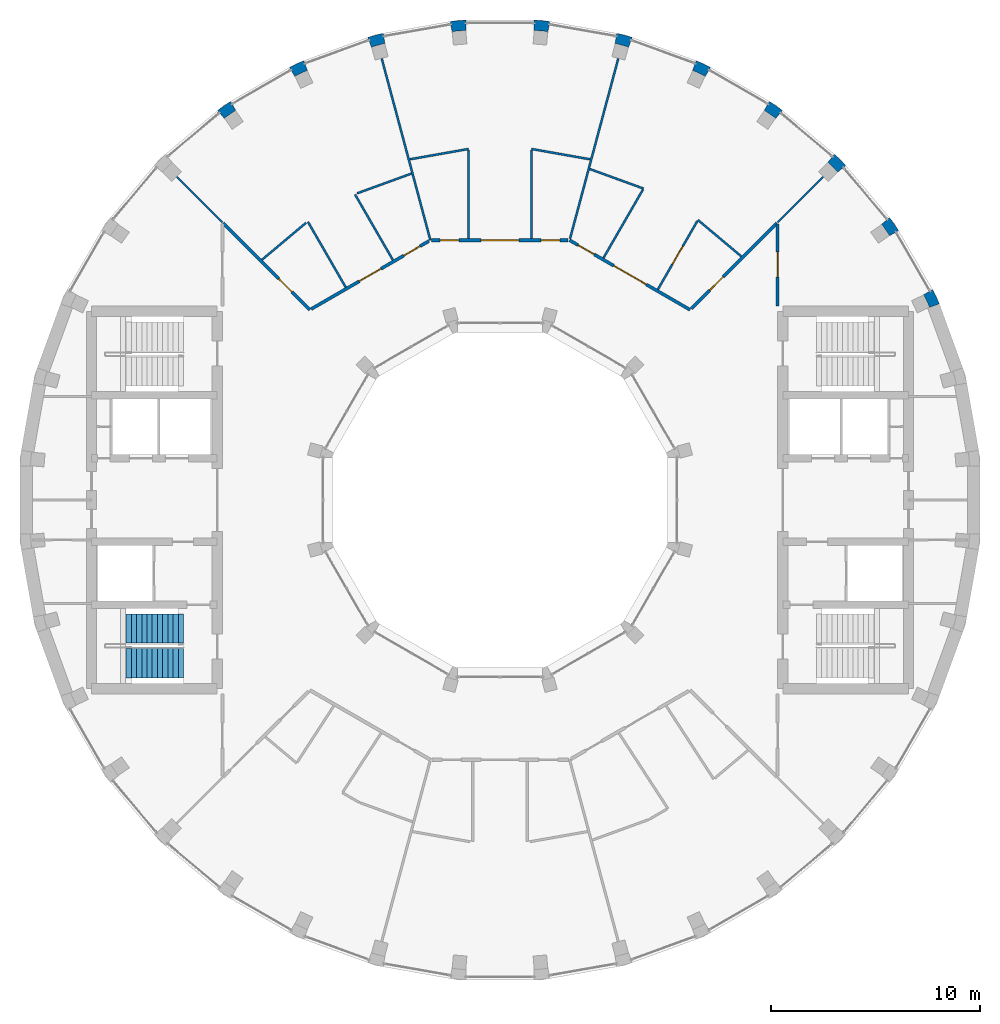
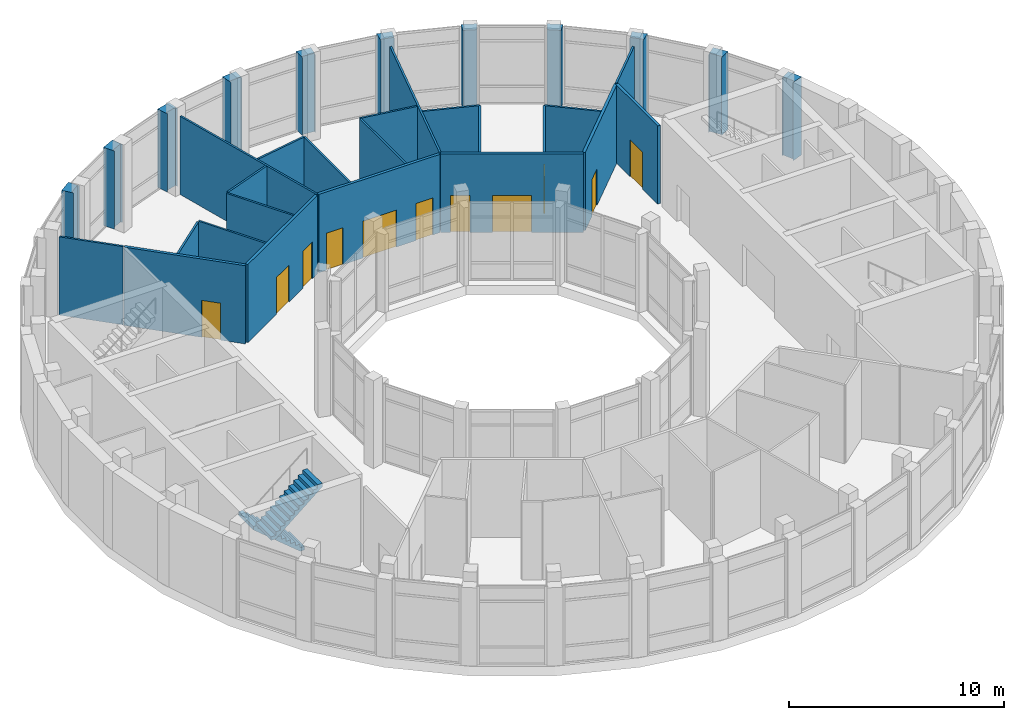
# One storey, part 14 of 16: 33 walls, 11 doors, 2 stair flights, 11 openings, 1 element without a shape of its own.
"""IFC4 building model written with IfcOpenShell, lengths in metres."""

from ifc_helpers import new_model, si_unit, direction, frame, frame_2d, origin, place, context, subcontext, project, spatial, polyline, rectangle, outline, extrude, material, layer, layer_set, type_object, element, fill, aggregate, save


model = new_model("IFC4")

# Units and contexts
model_context = context("Model", 3, precision=1e-05, world=origin(), true_north=direction((0.0, 1.0)))
body_context = subcontext(model_context, "Body", "Model", "MODEL_VIEW")
ifc_project = project(units=[si_unit("LENGTHUNIT", "METRE"), si_unit("AREAUNIT", "SQUARE_METRE"), si_unit("VOLUMEUNIT", "CUBIC_METRE"), si_unit("PLANEANGLEUNIT", "RADIAN"), si_unit("MASSUNIT", "GRAM", prefix="KILO")], contexts=[model_context])

# Site, building, storey
site_placement = place(None, origin())
site = spatial("IfcSite", under=ifc_project, at=site_placement, CompositionType="ELEMENT")
building_placement = place(site_placement, origin())
building = spatial("IfcBuilding", under=site, at=building_placement, Name="Saqina Gate Tower", CompositionType="ELEMENT")
storey_placement = place(building_placement, frame((0.0, 0.0, 279.199951171875)))
storey = spatial("IfcBuildingStorey", under=building, at=storey_placement, Name="L80", CompositionType="ELEMENT", Elevation=279.199951171875)

# Walls
ifc_material_1 = material(Name="Brick masonry (buff)", Category="masonry")
wall_type_1 = type_object("IfcWallType", Name="BRICK PIER COPING BUFF", PredefinedType="SOLIDWALL", material=ifc_material_1)
wall_1_placement = place(storey_placement, origin())
element("IfcWall", 1, at=wall_1_placement, inside=storey, type_object=wall_type_1, Name="Pier cap L80 column 3", PredefinedType="SOLIDWALL", context=body_context, shape_type="SweptSolid", body=[
    extrude(outline(polyline([(20.974609375, 9.3642578125), (20.65576171875, 10.048095703125), (20.135986328125, 9.748291015625), (20.23193359375, 9.79296875), (20.506591796875, 9.203857421875), (20.410888671875, 9.1591796875), (20.974609375, 9.3642578125)])), origin(), (0.0, 0.0, 1.0), 4.449951171875),
])
wall_2_placement = place(storey_placement, origin())
element("IfcWall", 2, at=wall_2_placement, inside=storey, type_object=wall_type_1, Name="Pier cap L80 column 4", PredefinedType="SOLIDWALL", context=body_context, shape_type="SweptSolid", body=[
    extrude(outline(polyline([(19.02978515625, 12.8642578125), (18.59716796875, 13.482421875), (18.137451171875, 13.0966796875), (18.22412109375, 13.157470703125), (18.596923828125, 12.625), (18.51025390625, 12.564208984375), (19.02978515625, 12.8642578125)])), origin(), (0.0, 0.0, 1.0), 4.449951171875),
])
wall_3_placement = place(storey_placement, origin())
element("IfcWall", 3, at=wall_3_placement, inside=storey, type_object=wall_type_1, Name="Pier cap L80 column 5", PredefinedType="SOLIDWALL", context=body_context, shape_type="SweptSolid", body=[
    extrude(outline(polyline([(15.973388671875, 16.5068359375), (15.587646484375, 16.04736328125), (15.662353515625, 16.1220703125), (16.1220703125, 15.662353515625), (16.04736328125, 15.587646484375), (16.5068359375, 15.973388671875), (15.973388671875, 16.5068359375)])), origin(), (0.0, 0.0, 1.0), 4.449951171875),
])
wall_4_placement = place(storey_placement, origin())
element("IfcWall", 4, at=wall_4_placement, inside=storey, type_object=wall_type_1, Name="Pier cap L80 column 6", PredefinedType="SOLIDWALL", context=body_context, shape_type="SweptSolid", body=[
    extrude(outline(polyline([(12.8642578125, 19.02978515625), (12.564208984375, 18.51025390625), (12.625, 18.596923828125), (13.157470703125, 18.22412109375), (13.0966796875, 18.137451171875), (13.482421875, 18.59716796875), (12.8642578125, 19.02978515625)])), origin(), (0.0, 0.0, 1.0), 4.449951171875),
])
wall_5_placement = place(storey_placement, origin())
element("IfcWall", 5, at=wall_5_placement, inside=storey, type_object=wall_type_1, Name="Pier cap L80 column 7", PredefinedType="SOLIDWALL", context=body_context, shape_type="SweptSolid", body=[
    extrude(outline(polyline([(10.048095703125, 20.65576171875), (9.3642578125, 20.974609375), (9.1591796875, 20.410888671875), (9.203857421875, 20.506591796875), (9.79296875, 20.23193359375), (9.748291015625, 20.135986328125), (10.048095703125, 20.65576171875)])), origin(), (0.0, 0.0, 1.0), 4.449951171875),
])
wall_6_placement = place(storey_placement, origin())
element("IfcWall", 6, at=wall_6_placement, inside=storey, type_object=wall_type_1, Name="Pier cap L80 column 8", PredefinedType="SOLIDWALL", context=body_context, shape_type="SweptSolid", body=[
    extrude(outline(polyline([(5.579833984375, 22.281982421875), (5.4755859375, 21.691162109375), (5.5029296875, 21.793212890625), (6.130859375, 21.625), (6.103515625, 21.52294921875), (6.30859375, 22.0869140625), (5.579833984375, 22.281982421875)])), origin(), (0.0, 0.0, 1.0), 4.449951171875),
])
wall_7_placement = place(storey_placement, origin())
element("IfcWall", 7, at=wall_7_placement, inside=storey, type_object=wall_type_1, Name="Pier cap L80 column 9", PredefinedType="SOLIDWALL", context=body_context, shape_type="SweptSolid", body=[
    extrude(outline(polyline([(2.377685546875, 22.8466796875), (1.625732421875, 22.91259765625), (1.625732421875, 22.3125), (1.635009765625, 22.417724609375), (2.28271484375, 22.361083984375), (2.2734375, 22.255859375), (2.377685546875, 22.8466796875)])), origin(), (0.0, 0.0, 1.0), 4.449951171875),
])
wall_8_placement = place(storey_placement, origin())
element("IfcWall", 8, at=wall_8_placement, inside=storey, type_object=wall_type_1, Name="Pier cap L80 column 10", PredefinedType="SOLIDWALL", context=body_context, shape_type="SweptSolid", body=[
    extrude(outline(polyline([(-1.625732421875, 22.91259765625), (-2.377685546875, 22.8466796875), (-2.2734375, 22.255859375), (-2.28271484375, 22.361083984375), (-1.635009765625, 22.417724609375), (-1.625732421875, 22.3125), (-1.625732421875, 22.91259765625)])), origin(), (0.0, 0.0, 1.0), 4.449951171875),
])
wall_9_placement = place(storey_placement, origin())
element("IfcWall", 9, at=wall_9_placement, inside=storey, type_object=wall_type_1, Name="Pier cap L80 column 11", PredefinedType="SOLIDWALL", context=body_context, shape_type="SweptSolid", body=[
    extrude(outline(polyline([(-6.30859375, 22.0869140625), (-6.103515625, 21.52294921875), (-6.130859375, 21.625), (-5.5029296875, 21.793212890625), (-5.4755859375, 21.691162109375), (-5.579833984375, 22.281982421875), (-6.30859375, 22.0869140625)])), origin(), (0.0, 0.0, 1.0), 4.449951171875),
])
wall_10_placement = place(storey_placement, origin())
element("IfcWall", 10, at=wall_10_placement, inside=storey, type_object=wall_type_1, Name="Pier cap L80 column 12", PredefinedType="SOLIDWALL", context=body_context, shape_type="SweptSolid", body=[
    extrude(outline(polyline([(-9.3642578125, 20.974609375), (-10.048095703125, 20.65576171875), (-9.748291015625, 20.135986328125), (-9.79296875, 20.23193359375), (-9.203857421875, 20.506591796875), (-9.1591796875, 20.410888671875), (-9.3642578125, 20.974609375)])), origin(), (0.0, 0.0, 1.0), 4.449951171875),
])
wall_11_placement = place(storey_placement, origin())
element("IfcWall", 11, at=wall_11_placement, inside=storey, type_object=wall_type_1, Name="Pier cap L80 column 13", PredefinedType="SOLIDWALL", context=body_context, shape_type="SweptSolid", body=[
    extrude(outline(polyline([(-12.8642578125, 19.02978515625), (-13.482421875, 18.59716796875), (-13.0966796875, 18.137451171875), (-13.157470703125, 18.22412109375), (-12.625, 18.596923828125), (-12.564208984375, 18.51025390625), (-12.8642578125, 19.02978515625)])), origin(), (0.0, 0.0, 1.0), 4.449951171875),
])
ifc_material_2 = material(Name="Gypsum board on steel studs, 100 mm", Category="steel")
ifc_layer_1 = layer(ifc_material_2, 0.10009765625)
ifc_layer_set_1 = layer_set([ifc_layer_1], Name="SPECIAL PARTITION 100")
wall_type_2 = type_object("IfcWallType", Name="SPECIAL PARTITION 100", PredefinedType="PARTITIONING", material=ifc_layer_set_1)
wall_12_placement = place(storey_placement, frame((-5.645751953125, 21.07177734375, 0.0), z_axis=(0.0, 0.0, 1.0), x_axis=(0.258728835498, -0.965949993365, 0.0)))
element("IfcWall", 12, at=wall_12_placement, inside=storey, type_object=wall_type_2, Name="PARTITION 001", PredefinedType="PARTITIONING", context=body_context, shape_type="SweptSolid", body=[
    extrude(rectangle(XDim=8.9775390625, YDim=0.10009765625, at=frame_2d((4.48876953125, 0.0))), origin(), (0.0, 0.0, 1.0), 4.449951171875),
])
wall_13_placement = place(storey_placement, frame((-9.169921875, 13.281982421875, 0.0), z_axis=(0.0, 0.0, 1.0), x_axis=(0.49998372882, -0.866034797751, 0.0)))
element("IfcWall", 13, at=wall_13_placement, inside=storey, type_object=wall_type_2, Name="PARTITION 003", PredefinedType="PARTITIONING", context=body_context, shape_type="SweptSolid", body=[
    extrude(rectangle(XDim=3.61279296875, YDim=0.10009765625, at=frame_2d((1.806396484375, 0.0))), origin(), (0.0, 0.0, 1.0), 4.449951171875),
])
wall_14_placement = place(storey_placement, frame((-6.91796875, 14.58203125, 0.0), z_axis=(0.0, 0.0, 1.0), x_axis=(0.500071521611, -0.865984106825, 0.0)))
element("IfcWall", 14, at=wall_14_placement, inside=storey, type_object=wall_type_2, Name="PARTITION 004", PredefinedType="PARTITIONING", context=body_context, shape_type="SweptSolid", body=[
    extrude(rectangle(XDim=3.6123046875, YDim=0.10009765625, at=frame_2d((1.80615234375, 0.0))), origin(), (0.0, 0.0, 1.0), 4.449951171875),
])
wall_15_placement = place(storey_placement, frame((-15.425537109375, 15.425537109375, 0.0), z_axis=(0.0, 0.0, 1.0), x_axis=(0.707106781187, -0.707106781187, 0.0)))
element("IfcWall", 15, at=wall_15_placement, inside=storey, type_object=wall_type_2, Name="PARTITION 007", PredefinedType="PARTITIONING", context=body_context, shape_type="SweptSolid", body=[
    extrude(rectangle(XDim=3.07666015625, YDim=0.10009765625, at=frame_2d((1.538330078125, 0.0))), origin(), (0.0, 0.0, 1.0), 4.449951171875),
])
wall_16_placement = place(storey_placement, frame((9.448974609375, 13.365966796875, 0.0), z_axis=(0.0, 0.0, 1.0), x_axis=(0.766094066965, -0.642728465653, 0.0)))
element("IfcWall", 16, at=wall_16_placement, inside=storey, type_object=wall_type_2, Name="PARTITION 012", PredefinedType="PARTITIONING", context=body_context, shape_type="SweptSolid", body=[
    extrude(rectangle(XDim=2.705322265625, YDim=0.10009765625, at=frame_2d((1.3525390625, 0.0))), origin(), (0.0, 0.0, 1.0), 4.449951171875),
])
wall_17_placement = place(storey_placement, frame((4.284912109375, 15.7998046875, 0.0), z_axis=(0.0, 0.0, 1.0), x_axis=(0.939712477851, -0.34196558156, 0.0)))
element("IfcWall", 17, at=wall_17_placement, inside=storey, type_object=wall_type_2, Name="PARTITION 017", PredefinedType="PARTITIONING", context=body_context, shape_type="SweptSolid", body=[
    extrude(rectangle(XDim=2.730712890625, YDim=0.10009765625, at=frame_2d((1.365234375, 0.0))), origin(), (0.0, 0.0, 1.0), 4.449951171875),
])
wall_18_placement = place(storey_placement, frame((1.5, 16.757080078125, 0.0), z_axis=(0.0, 0.0, 1.0), x_axis=(0.984768889955, -0.173868436975, 0.0)))
element("IfcWall", 18, at=wall_18_placement, inside=storey, type_object=wall_type_2, Name="PARTITION 019", PredefinedType="PARTITIONING", context=body_context, shape_type="SweptSolid", body=[
    extrude(rectangle(XDim=2.84912109375, YDim=0.10009765625, at=frame_2d((1.424560546875, 0.0))), origin(), (0.0, 0.0, 1.0), 4.449951171875),
])
wall_19_placement = place(storey_placement, frame((-4.305908203125, 16.26171875, 0.0), z_axis=(0.0, 0.0, 1.0), x_axis=(0.984771480107, 0.173853766043, 0.0)))
element("IfcWall", 19, at=wall_19_placement, inside=storey, type_object=wall_type_2, Name="PARTITION 023", PredefinedType="PARTITIONING", context=body_context, shape_type="SweptSolid", body=[
    extrude(rectangle(XDim=2.849365234375, YDim=0.10009765625, at=frame_2d((1.4248046875, 0.0))), origin(), (0.0, 0.0, 1.0), 4.449951171875),
])
wall_20_placement = place(storey_placement, frame((-6.824951171875, 14.635986328125, 0.0), z_axis=(0.0, 0.0, 1.0), x_axis=(0.939664442714, 0.342097552023, 0.0)))
element("IfcWall", 20, at=wall_20_placement, inside=storey, type_object=wall_type_2, Name="PARTITION 025", PredefinedType="PARTITIONING", context=body_context, shape_type="SweptSolid", body=[
    extrude(rectangle(XDim=2.7646484375, YDim=0.10009765625, at=frame_2d((1.38232421875, 0.0))), origin(), (0.0, 0.0, 1.0), 4.449951171875),
])
wall_21_placement = place(storey_placement, frame((-11.361572265625, 11.46728515625, 0.0), z_axis=(0.0, 0.0, 1.0), x_axis=(0.766083955689, 0.6427405175, 0.0)))
element("IfcWall", 21, at=wall_21_placement, inside=storey, type_object=wall_type_2, Name="PARTITION 030", PredefinedType="PARTITIONING", context=body_context, shape_type="SweptSolid", body=[
    extrude(rectangle(XDim=2.739501953125, YDim=0.10009765625, at=frame_2d((1.36962890625, 0.0))), origin(), (0.0, 0.0, 1.0), 4.449951171875),
])
wall_22_placement = place(storey_placement, frame((13.25, 13.25, 0.0), z_axis=(0.0, 0.0, 1.0), x_axis=(0.707106781187, 0.707106781187, 0.0)))
element("IfcWall", 22, at=wall_22_placement, inside=storey, type_object=wall_type_2, Name="PARTITION 032", PredefinedType="PARTITIONING", context=body_context, shape_type="SweptSolid", body=[
    extrude(rectangle(XDim=3.07666015625, YDim=0.10009765625, at=frame_2d((1.538330078125, 0.0))), origin(), (0.0, 0.0, 1.0), 4.449951171875),
])

# Wall, opening, door
wall_23_placement = place(storey_placement, frame((7.53662109375, 10.05322265625, 0.0), z_axis=(0.0, 0.0, 1.0), x_axis=(0.499957569697, 0.866049899545, 0.0)))
wall_23 = element("IfcWall", 23, at=wall_23_placement, inside=storey, type_object=wall_type_2, Name="PARTITION 037", PredefinedType="PARTITIONING", context=body_context, shape_type="SweptSolid", body=[
    extrude(rectangle(XDim=3.775146484375, YDim=0.10009765625, at=frame_2d((1.8876953125, 0.0))), origin(), (0.0, 0.0, 1.0), 4.449951171875),
])
opening_1_placement = place(wall_23_placement, frame((1.375, 0.0, 0.0)))
opening_1 = element("IfcOpeningElement", 24, at=opening_1_placement, cuts=wall_23, Name="Opening L80-D03", PredefinedType="OPENING", context=body_context, shape_type="SweptSolid", body=[
    extrude(rectangle(XDim=1.0, YDim=2.10009765625, at=frame_2d((0.5, 1.050048828125))), frame((0.0, 0.06201171875, 0.0), z_axis=(0.0, -1.0, 0.0), x_axis=(1.0, 0.0, 0.0)), (0.0, 0.0, 1.0), 0.1240234375),
])
ifc_material_3 = material(Name="Timber door leaf", Category="wood")
door_type_1 = type_object("IfcDoorType", Name="SPECIAL DOOR 1000 TIMBER", OperationType="SINGLE_SWING_LEFT", PredefinedType="DOOR", material=ifc_material_3)
door_1_placement = place(opening_1_placement, origin())
door_1 = element("IfcDoor", 25, at=door_1_placement, inside=storey, type_object=door_type_1, Name="DOOR L80-D03", OperationType="SINGLE_SWING_LEFT", OverallHeight=2.10009765625, OverallWidth=1.0, PredefinedType="DOOR", context=body_context, shape_type="SweptSolid", body=[
    extrude(rectangle(XDim=1.0, YDim=2.10009765625, at=frame_2d((0.5, 1.050048828125))), frame((0.0, 0.02490234375, 0.0), z_axis=(0.0, -1.0, 0.0), x_axis=(1.0, 0.0, 0.0)), (0.0, 0.0, 1.0), 0.050048828125),
])
fill(opening_1, door_1)

# Walls
wall_24_placement = place(storey_placement, frame((4.9384765625, 11.553955078125, 0.0), z_axis=(0.0, 0.0, 1.0), x_axis=(0.50004158446, 0.866001393654, 0.0)))
element("IfcWall", 26, at=wall_24_placement, inside=storey, type_object=wall_type_2, Name="PARTITION 038", PredefinedType="PARTITIONING", context=body_context, shape_type="SweptSolid", body=[
    extrude(rectangle(XDim=3.774658203125, YDim=0.10009765625, at=frame_2d((1.88720703125, 0.0))), origin(), (0.0, 0.0, 1.0), 4.449951171875),
])
wall_25_placement = place(storey_placement, frame((3.34228515625, 12.472412109375, 0.0), z_axis=(0.0, 0.0, 1.0), x_axis=(0.258684909749, 0.965961757767, 0.0)))
element("IfcWall", 27, at=wall_25_placement, inside=storey, type_object=wall_type_2, Name="PARTITION 040", PredefinedType="PARTITIONING", context=body_context, shape_type="SweptSolid", body=[
    extrude(rectangle(XDim=8.902587890625, YDim=0.10009765625, at=frame_2d((4.451171875, 0.0))), origin(), (0.0, 0.0, 1.0), 4.449951171875),
])
for number, where, z_axis, x_axis, name in (
    (28, (1.5, 12.47509765625, 0.0), (0.0, 0.0, 1.0), (0.0, 1.0, 0.0), "PARTITION 043"),
    (29, (-1.5, 12.47509765625, 0.0), (0.0, 0.0, 1.0), (0.0, 1.0, 0.0), "PARTITION 046"),
):
    element("IfcWall", number, at=place(storey_placement, frame(where, z_axis=z_axis, x_axis=x_axis)), inside=storey, type_object=wall_type_2, Name=name, PredefinedType="PARTITIONING", context=body_context, shape_type="SweptSolid", body=[
        extrude(rectangle(XDim=4.23193359375, YDim=0.10009765625, at=frame_2d((2.115966796875, 0.0))), origin(), (0.0, 0.0, 1.0), 4.449951171875),
    ])

# Wall, opening, door
ifc_material_4 = material(Name="Gypsum board on steel studs, 150 mm, fire rated", Category="steel")
ifc_layer_2 = layer(ifc_material_4, 0.14990234375)
ifc_layer_set_2 = layer_set([ifc_layer_2], Name="SPECIAL PARTITION EI 30 150")
wall_type_3 = type_object("IfcWallType", Name="SPECIAL PARTITION EI 30 150", PredefinedType="PARTITIONING", material=ifc_layer_set_2)
wall_26_placement = place(storey_placement, frame((-13.214599609375, 13.214599609375, 0.0), z_axis=(0.0, 0.0, 1.0), x_axis=(0.707106781187, -0.707106781187, 0.0)))
wall_26 = element("IfcWall", 30, at=wall_26_placement, inside=storey, type_object=wall_type_3, Name="PARTITION 009", PredefinedType="PARTITIONING", context=body_context, shape_type="SweptSolid", body=[
    extrude(rectangle(XDim=5.8515625, YDim=0.14990234375, at=frame_2d((2.92578125, 0.0))), origin(), (0.0, 0.0, 1.0), 4.449951171875),
])
opening_2_placement = place(wall_26_placement, frame((3.74560546875, 0.0, 0.0)))
opening_2 = element("IfcOpeningElement", 31, at=opening_2_placement, cuts=wall_26, Name="Opening L80-D11", PredefinedType="OPENING", context=body_context, shape_type="SweptSolid", body=[
    extrude(rectangle(XDim=0.89990234375, YDim=2.10009765625, at=frame_2d((0.449951171875, 1.050048828125))), frame((0.0, 0.0869140625, 0.0), z_axis=(0.0, -1.0, 0.0), x_axis=(1.0, 0.0, 0.0)), (0.0, 0.0, 1.0), 0.173828125),
])
ifc_material_5 = material(Name="Steel-framed fire door leaf, EI 30", Category="steel")
door_type_2 = type_object("IfcDoorType", Name="SPECIAL DOOR 900 FIRE EI 30", OperationType="SINGLE_SWING_LEFT", PredefinedType="DOOR", material=ifc_material_5)
door_2_placement = place(opening_2_placement, origin())
door_2 = element("IfcDoor", 32, at=door_2_placement, inside=storey, type_object=door_type_2, Name="DOOR L80-D11", OperationType="SINGLE_SWING_RIGHT", OverallHeight=2.10009765625, OverallWidth=0.89990234375, PredefinedType="DOOR", context=body_context, shape_type="SweptSolid", body=[
    extrude(rectangle(XDim=0.89990234375, YDim=2.10009765625, at=frame_2d((0.449951171875, 1.050048828125))), frame((0.0, 0.02490234375, 0.0), z_axis=(0.0, -1.0, 0.0), x_axis=(1.0, 0.0, 0.0)), (0.0, 0.0, 1.0), 0.050048828125),
])
fill(opening_2, door_2)

# Wall, openings, doors
wall_27_placement = place(storey_placement, frame((3.322998046875, 12.39990234375, 0.0), z_axis=(0.0, 0.0, 1.0), x_axis=(0.865961614908, -0.500110469302, 0.0)))
wall_27 = element("IfcWall", 33, at=wall_27_placement, inside=storey, type_object=wall_type_3, Name="PARTITION 014", PredefinedType="PARTITIONING", context=body_context, shape_type="SweptSolid", body=[
    extrude(rectangle(XDim=6.64453125, YDim=0.14990234375, at=frame_2d((3.322265625, 0.0))), origin(), (0.0, 0.0, 1.0), 4.449951171875),
])
opening_3_placement = place(wall_27_placement, frame((2.42236328125, 0.0, 0.0)))
opening_3 = element("IfcOpeningElement", 34, at=opening_3_placement, cuts=wall_27, Name="Opening L80-D04", PredefinedType="OPENING", context=body_context, shape_type="SweptSolid", body=[
    extrude(rectangle(XDim=1.800048828125, YDim=2.10009765625, at=frame_2d((0.89990234375, 1.050048828125))), frame((0.0, 0.0869140625, 0.0), z_axis=(0.0, -1.0, 0.0), x_axis=(1.0, 0.0, 0.0)), (0.0, 0.0, 1.0), 0.173828125),
])
opening_4_placement = place(wall_27_placement, frame((0.4609375, 0.0, 0.0)))
opening_4 = element("IfcOpeningElement", 35, at=opening_4_placement, cuts=wall_27, Name="Opening L80-D05", PredefinedType="OPENING", context=body_context, shape_type="SweptSolid", body=[
    extrude(rectangle(XDim=0.89990234375, YDim=2.10009765625, at=frame_2d((0.449951171875, 1.050048828125))), frame((0.0, 0.0869140625, 0.0), z_axis=(0.0, -1.0, 0.0), x_axis=(1.0, 0.0, 0.0)), (0.0, 0.0, 1.0), 0.173828125),
])
door_3_placement = place(opening_4_placement, origin())
door_3 = element("IfcDoor", 36, at=door_3_placement, inside=storey, type_object=door_type_2, Name="DOOR L80-D05", OperationType="SINGLE_SWING_RIGHT", OverallHeight=2.10009765625, OverallWidth=0.89990234375, PredefinedType="DOOR", context=body_context, shape_type="SweptSolid", body=[
    extrude(rectangle(XDim=0.89990234375, YDim=2.10009765625, at=frame_2d((0.449951171875, 1.050048828125))), frame((0.0, 0.02490234375, 0.0), z_axis=(0.0, -1.0, 0.0), x_axis=(1.0, 0.0, 0.0)), (0.0, 0.0, 1.0), 0.050048828125),
])
fill(opening_4, door_3)
ifc_material_6 = material(Name="Steel-framed fire door leaf, EI 30", Category="steel")
door_type_3 = type_object("IfcDoorType", Name="SPECIAL DOUBLE DOOR 1800 FIRE EI 30", OperationType="DOUBLE_DOOR_SINGLE_SWING", PredefinedType="DOOR", material=ifc_material_6)
door_4_placement = place(opening_3_placement, frame((1.800048828125, 0.0, 0.0), z_axis=(0.0, 0.0, 1.0), x_axis=(-1.0, 0.0, 0.0)))
door_4 = element("IfcDoor", 37, at=door_4_placement, inside=storey, type_object=door_type_3, Name="DOOR L80-D04", OperationType="DOUBLE_DOOR_SINGLE_SWING", OverallHeight=2.10009765625, OverallWidth=1.800048828125, PredefinedType="DOOR", context=body_context, shape_type="SweptSolid", body=[
    extrude(rectangle(XDim=1.800048828125, YDim=2.10009765625, at=frame_2d((0.89990234375, 1.050048828125))), frame((0.0, 0.02490234375, 0.0), z_axis=(0.0, -1.0, 0.0), x_axis=(1.0, 0.0, 0.0)), (0.0, 0.0, 1.0), 0.050048828125),
])
fill(opening_3, door_4)

wall_28_placement = place(storey_placement, frame((-3.27294921875, 12.39990234375, 0.0), z_axis=(0.0, 0.0, 1.0), x_axis=(1.0, 0.0, 0.0)))
wall_28 = element("IfcWall", 38, at=wall_28_placement, inside=storey, type_object=wall_type_3, Name="PARTITION 021", PredefinedType="PARTITIONING", context=body_context, shape_type="SweptSolid", body=[
    extrude(rectangle(XDim=6.52099609375, YDim=0.14990234375, at=frame_2d((3.260498046875, 0.0))), origin(), (0.0, 0.0, 1.0), 4.449951171875),
])
opening_5_placement = place(wall_28_placement, frame((5.234619140625, 0.0, 0.0)))
opening_5 = element("IfcOpeningElement", 39, at=opening_5_placement, cuts=wall_28, Name="Opening L80-D06", PredefinedType="OPENING", context=body_context, shape_type="SweptSolid", body=[
    extrude(rectangle(XDim=0.89990234375, YDim=2.10009765625, at=frame_2d((0.449951171875, 1.050048828125))), frame((0.0, 0.0869140625, 0.0), z_axis=(0.0, -1.0, 0.0), x_axis=(1.0, 0.0, 0.0)), (0.0, 0.0, 1.0), 0.173828125),
])
opening_6_placement = place(wall_28_placement, frame((2.373046875, 0.0, 0.0)))
opening_6 = element("IfcOpeningElement", 40, at=opening_6_placement, cuts=wall_28, Name="Opening L80-D07", PredefinedType="OPENING", context=body_context, shape_type="SweptSolid", body=[
    extrude(rectangle(XDim=1.800048828125, YDim=2.10009765625, at=frame_2d((0.89990234375, 1.050048828125))), frame((0.0, 0.0869140625, 0.0), z_axis=(0.0, -1.0, 0.0), x_axis=(1.0, 0.0, 0.0)), (0.0, 0.0, 1.0), 0.173828125),
])
opening_7_placement = place(wall_28_placement, frame((0.41162109375, 0.0, 0.0)))
opening_7 = element("IfcOpeningElement", 41, at=opening_7_placement, cuts=wall_28, Name="Opening L80-D08", PredefinedType="OPENING", context=body_context, shape_type="SweptSolid", body=[
    extrude(rectangle(XDim=0.89990234375, YDim=2.10009765625, at=frame_2d((0.449951171875, 1.050048828125))), frame((0.0, 0.0869140625, 0.0), z_axis=(0.0, -1.0, 0.0), x_axis=(1.0, 0.0, 0.0)), (0.0, 0.0, 1.0), 0.173828125),
])
door_5_placement = place(opening_5_placement, origin())
door_5 = element("IfcDoor", 42, at=door_5_placement, inside=storey, type_object=door_type_2, Name="DOOR L80-D06", OperationType="SINGLE_SWING_LEFT", OverallHeight=2.10009765625, OverallWidth=0.89990234375, PredefinedType="DOOR", context=body_context, shape_type="SweptSolid", body=[
    extrude(rectangle(XDim=0.89990234375, YDim=2.10009765625, at=frame_2d((0.449951171875, 1.050048828125))), frame((0.0, 0.02490234375, 0.0), z_axis=(0.0, -1.0, 0.0), x_axis=(1.0, 0.0, 0.0)), (0.0, 0.0, 1.0), 0.050048828125),
])
fill(opening_5, door_5)
door_6_placement = place(opening_7_placement, origin())
door_6 = element("IfcDoor", 43, at=door_6_placement, inside=storey, type_object=door_type_2, Name="DOOR L80-D08", OperationType="SINGLE_SWING_RIGHT", OverallHeight=2.10009765625, OverallWidth=0.89990234375, PredefinedType="DOOR", context=body_context, shape_type="SweptSolid", body=[
    extrude(rectangle(XDim=0.89990234375, YDim=2.10009765625, at=frame_2d((0.449951171875, 1.050048828125))), frame((0.0, 0.02490234375, 0.0), z_axis=(0.0, -1.0, 0.0), x_axis=(1.0, 0.0, 0.0)), (0.0, 0.0, 1.0), 0.050048828125),
])
fill(opening_7, door_6)
door_7_placement = place(opening_6_placement, frame((1.800048828125, 0.0, 0.0), z_axis=(0.0, 0.0, 1.0), x_axis=(-1.0, 0.0, 0.0)))
door_7 = element("IfcDoor", 44, at=door_7_placement, inside=storey, type_object=door_type_3, Name="DOOR L80-D07", OperationType="DOUBLE_DOOR_SINGLE_SWING", OverallHeight=2.10009765625, OverallWidth=1.800048828125, PredefinedType="DOOR", context=body_context, shape_type="SweptSolid", body=[
    extrude(rectangle(XDim=1.800048828125, YDim=2.10009765625, at=frame_2d((0.89990234375, 1.050048828125))), frame((0.0, 0.02490234375, 0.0), z_axis=(0.0, -1.0, 0.0), x_axis=(1.0, 0.0, 0.0)), (0.0, 0.0, 1.0), 0.050048828125),
])
fill(opening_6, door_7)

wall_29_placement = place(storey_placement, frame((-9.01220703125, 9.114501953125, 0.0), z_axis=(0.0, 0.0, 1.0), x_axis=(0.865967095912, 0.5001009786, 0.0)))
wall_29 = element("IfcWall", 45, at=wall_29_placement, inside=storey, type_object=wall_type_3, Name="PARTITION 028", PredefinedType="PARTITIONING", context=body_context, shape_type="SweptSolid", body=[
    extrude(rectangle(XDim=6.494873046875, YDim=0.14990234375, at=frame_2d((3.24755859375, 0.0))), origin(), (0.0, 0.0, 1.0), 4.449951171875),
])
opening_8_placement = place(wall_29_placement, frame((5.108642578125, 0.0, 0.0)))
opening_8 = element("IfcOpeningElement", 46, at=opening_8_placement, cuts=wall_29, Name="Opening L80-D09", PredefinedType="OPENING", context=body_context, shape_type="SweptSolid", body=[
    extrude(rectangle(XDim=0.89990234375, YDim=2.10009765625, at=frame_2d((0.449951171875, 1.050048828125))), frame((0.0, 0.0869140625, 0.0), z_axis=(0.0, -1.0, 0.0), x_axis=(1.0, 0.0, 0.0)), (0.0, 0.0, 1.0), 0.173828125),
])
opening_9_placement = place(wall_29_placement, frame((2.647216796875, 0.0, 0.0)))
opening_9 = element("IfcOpeningElement", 47, at=opening_9_placement, cuts=wall_29, Name="Opening L80-D10", PredefinedType="OPENING", context=body_context, shape_type="SweptSolid", body=[
    extrude(rectangle(XDim=1.199951171875, YDim=2.10009765625, at=frame_2d((0.60009765625, 1.050048828125))), frame((0.0, 0.0869140625, 0.0), z_axis=(0.0, -1.0, 0.0), x_axis=(1.0, 0.0, 0.0)), (0.0, 0.0, 1.0), 0.173828125),
])
ifc_material_7 = material(Name="Steel-framed fire door leaf, EI 30", Category="steel")
door_type_4 = type_object("IfcDoorType", Name="SPECIAL DOOR 1200 FIRE EI 30", OperationType="SINGLE_SWING_LEFT", PredefinedType="DOOR", material=ifc_material_7)
door_8_placement = place(opening_9_placement, frame((1.199951171875, 0.0, 0.0), z_axis=(0.0, 0.0, 1.0), x_axis=(-1.0, 0.0, 0.0)))
door_8 = element("IfcDoor", 48, at=door_8_placement, inside=storey, type_object=door_type_4, Name="DOOR L80-D10", OperationType="SINGLE_SWING_RIGHT", OverallHeight=2.10009765625, OverallWidth=1.199951171875, PredefinedType="DOOR", context=body_context, shape_type="SweptSolid", body=[
    extrude(rectangle(XDim=1.199951171875, YDim=2.10009765625, at=frame_2d((0.60009765625, 1.050048828125))), frame((0.0, 0.02490234375, 0.0), z_axis=(0.0, -1.0, 0.0), x_axis=(1.0, 0.0, 0.0)), (0.0, 0.0, 1.0), 0.050048828125),
])
fill(opening_9, door_8)
door_9_placement = place(opening_8_placement, origin())
door_9 = element("IfcDoor", 49, at=door_9_placement, inside=storey, type_object=door_type_2, Name="DOOR L80-D09", OperationType="SINGLE_SWING_LEFT", OverallHeight=2.10009765625, OverallWidth=0.89990234375, PredefinedType="DOOR", context=body_context, shape_type="SweptSolid", body=[
    extrude(rectangle(XDim=0.89990234375, YDim=2.10009765625, at=frame_2d((0.449951171875, 1.050048828125))), frame((0.0, 0.02490234375, 0.0), z_axis=(0.0, -1.0, 0.0), x_axis=(1.0, 0.0, 0.0)), (0.0, 0.0, 1.0), 0.050048828125),
])
fill(opening_8, door_9)

# Wall, opening, door
wall_30_placement = place(storey_placement, frame((9.1298828125, 9.1298828125, 0.0), z_axis=(0.0, 0.0, 1.0), x_axis=(0.707106781187, 0.707106781187, 0.0)))
wall_30 = element("IfcWall", 50, at=wall_30_placement, inside=storey, type_object=wall_type_3, Name="PARTITION 034", PredefinedType="PARTITIONING", context=body_context, shape_type="SweptSolid", body=[
    extrude(rectangle(XDim=5.776611328125, YDim=0.14990234375, at=frame_2d((2.88818359375, 0.0))), origin(), (0.0, 0.0, 1.0), 4.449951171875),
])
opening_10_placement = place(wall_30_placement, frame((1.244140625, 0.0, 0.0)))
opening_10 = element("IfcOpeningElement", 51, at=opening_10_placement, cuts=wall_30, Name="Opening L80-D02", PredefinedType="OPENING", context=body_context, shape_type="SweptSolid", body=[
    extrude(rectangle(XDim=0.89990234375, YDim=2.10009765625, at=frame_2d((0.449951171875, 1.050048828125))), frame((0.0, 0.0869140625, 0.0), z_axis=(0.0, -1.0, 0.0), x_axis=(1.0, 0.0, 0.0)), (0.0, 0.0, 1.0), 0.173828125),
])
door_10_placement = place(opening_10_placement, origin())
door_10 = element("IfcDoor", 52, at=door_10_placement, inside=storey, type_object=door_type_2, Name="DOOR L80-D02", OperationType="SINGLE_SWING_LEFT", OverallHeight=2.10009765625, OverallWidth=0.89990234375, PredefinedType="DOOR", context=body_context, shape_type="SweptSolid", body=[
    extrude(rectangle(XDim=0.89990234375, YDim=2.10009765625, at=frame_2d((0.449951171875, 1.050048828125))), frame((0.0, 0.02490234375, 0.0), z_axis=(0.0, -1.0, 0.0), x_axis=(1.0, 0.0, 0.0)), (0.0, 0.0, 1.0), 0.050048828125),
])
fill(opening_10, door_10)

wall_31_placement = place(storey_placement, frame((13.25, 9.25, 0.0), z_axis=(0.0, 0.0, 1.0), x_axis=(0.0, 1.0, 0.0)))
wall_31 = element("IfcWall", 53, at=wall_31_placement, inside=storey, type_object=wall_type_3, Name="PARTITION 042", PredefinedType="PARTITIONING", context=body_context, shape_type="SweptSolid", body=[
    extrude(rectangle(XDim=3.925048828125, YDim=0.14990234375, at=frame_2d((1.96240234375, 0.0))), origin(), (0.0, 0.0, 1.0), 4.449951171875),
])
opening_11_placement = place(wall_31_placement, frame((1.39990234375, 0.0, 0.0)))
opening_11 = element("IfcOpeningElement", 54, at=opening_11_placement, cuts=wall_31, Name="Opening L80-D01", PredefinedType="OPENING", context=body_context, shape_type="SweptSolid", body=[
    extrude(rectangle(XDim=1.199951171875, YDim=2.10009765625, at=frame_2d((0.60009765625, 1.050048828125))), frame((0.0, 0.0869140625, 0.0), z_axis=(0.0, -1.0, 0.0), x_axis=(1.0, 0.0, 0.0)), (0.0, 0.0, 1.0), 0.173828125),
])
door_11_placement = place(opening_11_placement, frame((1.199951171875, 0.0, 0.0), z_axis=(0.0, 0.0, 1.0), x_axis=(-1.0, 0.0, 0.0)))
door_11 = element("IfcDoor", 55, at=door_11_placement, inside=storey, type_object=door_type_4, Name="DOOR L80-D01", OperationType="SINGLE_SWING_LEFT", OverallHeight=2.10009765625, OverallWidth=1.199951171875, PredefinedType="DOOR", context=body_context, shape_type="SweptSolid", body=[
    extrude(rectangle(XDim=1.199951171875, YDim=2.10009765625, at=frame_2d((0.60009765625, 1.050048828125))), frame((0.0, 0.02490234375, 0.0), z_axis=(0.0, -1.0, 0.0), x_axis=(1.0, 0.0, 0.0)), (0.0, 0.0, 1.0), 0.050048828125),
])
fill(opening_11, door_11)

# Stair, stair flights
ifc_material_8 = material(Name="Concrete C40/50", Category="concrete")
stair_type = type_object("IfcStairType", Name="EXIT STAIR", PredefinedType="HALF_TURN_STAIR", material=ifc_material_8)
stair_placement = place(storey_placement, origin())
stair = element("IfcStair", 56, at=stair_placement, inside=storey, type_object=stair_type, Name="EXIT STAIR 4", PredefinedType="HALF_TURN_STAIR")
ifc_material_9 = material(Name="Concrete C40/50", Category="concrete")
stair_flight_type = type_object("IfcStairFlightType", Name="EXIT STAIR FLIGHT", PredefinedType="STRAIGHT", material=ifc_material_9)
stair_flight_1_placement = place(storey_placement, frame((-15.10009765625, -6.13330078125, 0.0), z_axis=(0.0, 0.0, 1.0), x_axis=(-1.0, 0.0, 0.0)))
stair_flight_1 = element("IfcStairFlight", 57, at=stair_flight_1_placement, type_object=stair_flight_type, Name="EXIT STAIR 4 FLIGHT 1", NumberOfRisers=12, NumberOfTreads=11, PredefinedType="STRAIGHT", RiserHeight=0.208333333, TreadLength=0.25, context=body_context, shape_type="SweptSolid", body=[
    extrude(outline(polyline([(0.0, 0.0), (0.0, 0.208251953125), (0.25, 0.208251953125), (0.25, 0.416748046875), (0.5, 0.416748046875), (0.5, 0.625), (0.75, 0.625), (0.75, 0.833251953125), (1.0, 0.833251953125), (1.0, 1.041748046875), (1.25, 1.041748046875), (1.25, 1.25), (1.5, 1.25), (1.5, 1.458251953125), (1.75, 1.458251953125), (1.75, 1.666748046875), (2.0, 1.666748046875), (2.0, 1.875), (2.25, 1.875), (2.25, 2.083251953125), (2.5, 2.083251953125), (2.5, 2.291748046875), (2.75, 2.291748046875), (2.75, 2.5), (2.75, 2.096435546875), (0.234130859375, 0.0), (0.0, 0.0)])), frame((0.0, 0.699951171875, 0.0), z_axis=(0.0, -1.0, 0.0), x_axis=(1.0, 0.0, 0.0)), (0.0, 0.0, 1.0), 1.39990234375),
])
stair_flight_2_placement = place(storey_placement, frame((-17.85009765625, -7.791748046875, 2.5), z_axis=(0.0, 0.0, 1.0), x_axis=(1.0, 0.0, 0.0)))
stair_flight_2 = element("IfcStairFlight", 58, at=stair_flight_2_placement, type_object=stair_flight_type, Name="EXIT STAIR 4 FLIGHT 2", NumberOfRisers=12, NumberOfTreads=11, PredefinedType="STRAIGHT", RiserHeight=0.208333333, TreadLength=0.25, context=body_context, shape_type="SweptSolid", body=[
    extrude(outline(polyline([(0.0, 0.0), (0.0, 0.208251953125), (0.25, 0.208251953125), (0.25, 0.416748046875), (0.5, 0.416748046875), (0.5, 0.625), (0.75, 0.625), (0.75, 0.833251953125), (1.0, 0.833251953125), (1.0, 1.041748046875), (1.25, 1.041748046875), (1.25, 1.25), (1.5, 1.25), (1.5, 1.458251953125), (1.75, 1.458251953125), (1.75, 1.666748046875), (2.0, 1.666748046875), (2.0, 1.875), (2.25, 1.875), (2.25, 2.083251953125), (2.5, 2.083251953125), (2.5, 2.291748046875), (2.75, 2.291748046875), (2.75, 2.5), (2.75, 2.096435546875), (0.234130859375, 0.0), (0.0, 0.0)])), frame((0.0, 0.699951171875, 0.0), z_axis=(0.0, -1.0, 0.0), x_axis=(1.0, 0.0, 0.0)), (0.0, 0.0, 1.0), 1.39990234375),
])
aggregate(stair, [stair_flight_1, stair_flight_2])

save(model, "model.ifc")
